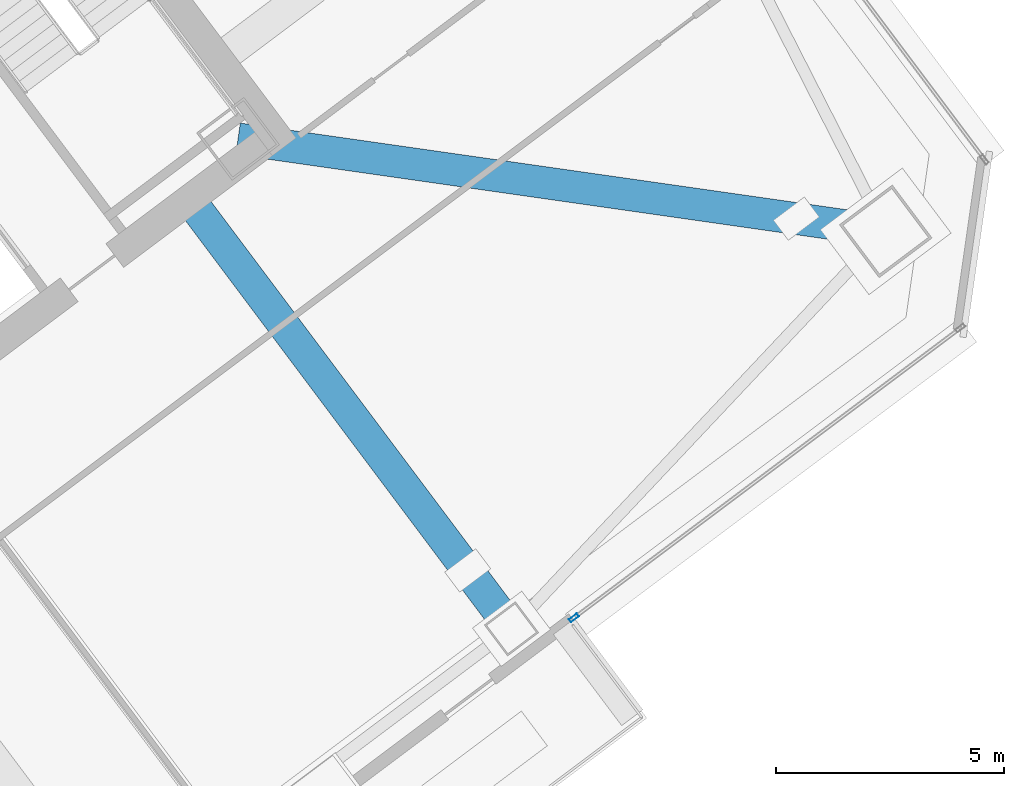
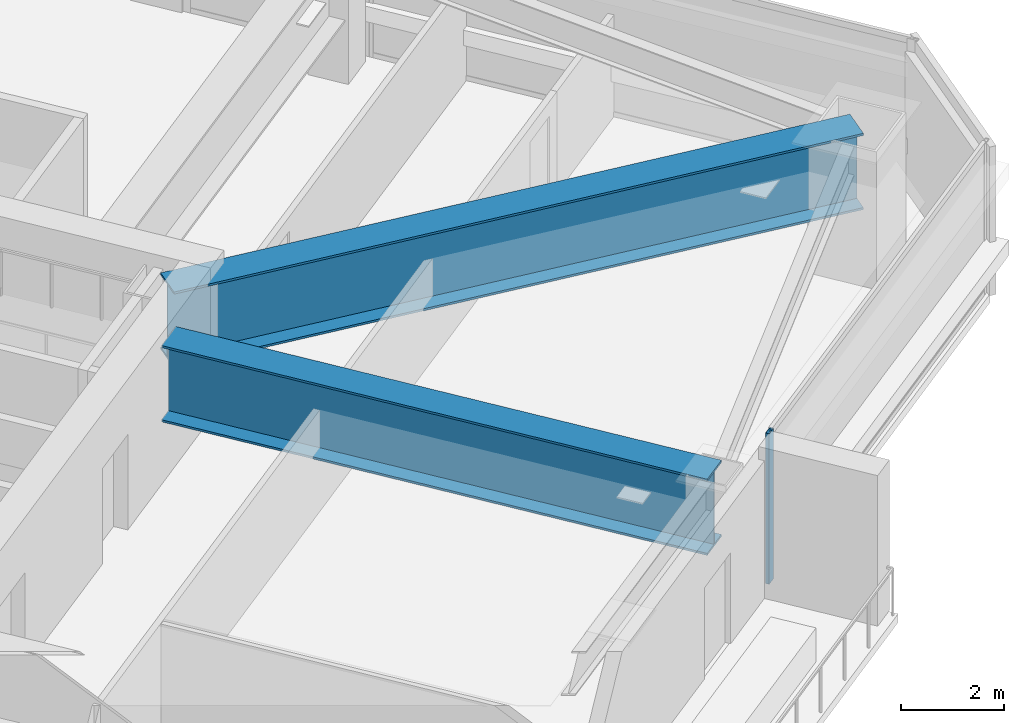
# One storey, part 26 of 49: 2 beams, 1 member, 1 element without a shape of its own.
"""IFC4 building model written with IfcOpenShell, lengths in metres."""

import ifcopenshell
import ifcopenshell.guid

model = None  # the IFC model being written
_history = None  # IfcOwnerHistory: only IFC2X3 demands one
_inside = {}  # id of a spatial element -> (the spatial element, [elements in it])
_under = {}  # id of a project, library or spatial element -> (it, [spatial elements below it])
_declared = {}  # id of a project -> (the project, [libraries it declares])
_typed = {}  # id of a type object -> (the type object, [elements of that type])
_made_of = {}  # id of a material, layer set ... -> (it, [elements and type objects made of it])


def new_model(schema):
    """Start an empty IFC model of exactly this schema.

    Asked for "IFC4X3", IfcOpenShell would pick the latest addendum, in which some entities
    have other attributes; the version numbers below select the first issue.
    IFC2X3 requires an IfcOwnerHistory on every rooted entity: one is made here for all.
    """
    global model, _history
    if schema == "IFC4X3":
        model = ifcopenshell.file(schema_version=(4, 3, 0, 0))
    else:
        model = ifcopenshell.file(schema=schema)
    _inside.clear()
    _under.clear()
    _declared.clear()
    _typed.clear()
    _made_of.clear()
    _history = None
    if model.schema == "IFC2X3":
        org = make("IfcOrganization", Name="unknown")
        user = make(
            "IfcPersonAndOrganization",
            ThePerson=make("IfcPerson", FamilyName="unknown"),
            TheOrganization=org,
        )
        app = make(
            "IfcApplication",
            ApplicationDeveloper=org,
            Version="unknown",
            ApplicationFullName="unknown",
            ApplicationIdentifier="unknown",
        )
        _history = make(
            "IfcOwnerHistory",
            OwningUser=user,
            OwningApplication=app,
            ChangeAction="ADDED",
            CreationDate=0,
        )
    return model


def make(cls, **values):
    """One entity of the class cls with the attributes given. An attribute that is None is left unset."""
    return model.create_entity(
        cls, **{name: value for name, value in values.items() if value is not None}
    )


def rooted(cls, **values):
    """An entity with a GlobalId (a new one), such as an element, a storey or a relation."""
    return make(cls, GlobalId=ifcopenshell.guid.new(), OwnerHistory=_history, **values)


def si_unit(unit_type, name, prefix=None):
    """IfcSIUnit, for example si_unit("LENGTHUNIT", "METRE", prefix="MILLI")."""
    return make("IfcSIUnit", UnitType=unit_type, Prefix=prefix, Name=name)


def assignment(units):
    """IfcUnitAssignment: the units of a project."""
    return None if units is None else make("IfcUnitAssignment", Units=units)


def point(xyz):
    """IfcCartesianPoint."""
    return None if xyz is None else make("IfcCartesianPoint", Coordinates=xyz)


def direction(xyz):
    """IfcDirection."""
    return None if xyz is None else make("IfcDirection", DirectionRatios=xyz)


def frame(location, z_axis=None, x_axis=None):
    """IfcAxis2Placement3D, a coordinate frame: its origin and axes. An axis left out is left unset."""
    return make(
        "IfcAxis2Placement3D",
        Location=point(location),
        Axis=direction(z_axis),
        RefDirection=direction(x_axis),
    )


def frame_2d(location, x_axis=None):
    """IfcAxis2Placement2D, a coordinate frame in the plane: its origin and x axis."""
    return make(
        "IfcAxis2Placement2D", Location=point(location), RefDirection=direction(x_axis)
    )


def origin():
    """The frame at (0, 0, 0) with its axes left unset."""
    return frame((0.0, 0.0, 0.0))


def origin_2d():
    """The frame at (0, 0) in the plane with its x axis left unset."""
    return frame_2d((0.0, 0.0))


def place(relative_to, where):
    """IfcLocalPlacement: puts the frame where relative to a parent placement (None: the world)."""
    return make(
        "IfcLocalPlacement", PlacementRelTo=relative_to, RelativePlacement=where
    )


def context(
    kind, dimensions, precision=None, world=None, true_north=None, identifier=None
):
    """IfcGeometricRepresentationContext, for example the 3D "Model" context."""
    return make(
        "IfcGeometricRepresentationContext",
        ContextIdentifier=identifier,
        ContextType=kind,
        CoordinateSpaceDimension=dimensions,
        Precision=precision,
        WorldCoordinateSystem=world,
        TrueNorth=true_north,
    )


def subcontext(parent, identifier, kind, view, scale=None):
    """IfcGeometricRepresentationSubContext, for example "Body" below "Model"."""
    return make(
        "IfcGeometricRepresentationSubContext",
        ContextIdentifier=identifier,
        ContextType=kind,
        ParentContext=parent,
        TargetScale=scale,
        TargetView=view,
    )


def project(units=None, contexts=None):
    """IfcProject with its units and contexts."""
    return rooted(
        "IfcProject",
        Name="project",
        RepresentationContexts=contexts,
        UnitsInContext=assignment(units),
    )


def spatial(cls, under=None, at=None, **own):
    """A site, building, storey or space (cls), placed at a placement, below another one or the project."""
    s = rooted(cls, ObjectPlacement=at, **own)
    if under is not None:
        _under.setdefault(under.id(), (under, []))[1].append(s)
    return s


def profile(cls, at=None, kind="AREA", **sizes):
    """A parametric profile (cls). Its sizes go by their IFC names, for example OverallWidth=200.0."""
    return make(cls, ProfileType=kind, Position=at, **sizes)


def hollow_rectangle(**sizes):
    """IfcRectangleHollowProfileDef."""
    return profile("IfcRectangleHollowProfileDef", **sizes)


def i_section(**sizes):
    """IfcIShapeProfileDef."""
    return profile("IfcIShapeProfileDef", **sizes)


def extrude(swept, where, along, depth):
    """IfcExtrudedAreaSolid: the profile swept, set in the frame where, extruded along a direction by depth."""
    return make(
        "IfcExtrudedAreaSolid",
        SweptArea=swept,
        Position=where,
        ExtrudedDirection=direction(along),
        Depth=depth,
    )


def shape(context_of_items, identifier, shape_type, items):
    """IfcShapeRepresentation: the items that make up one representation, for example the "Body"."""
    return make(
        "IfcShapeRepresentation",
        ContextOfItems=context_of_items,
        RepresentationIdentifier=identifier,
        RepresentationType=shape_type,
        Items=items,
    )


def material(Name=None, Category=None):
    """IfcMaterial."""
    return make("IfcMaterial", Name=Name, Category=Category)


def material_profile(
    of_material, cross_section, Name=None, Category=None, Priority=None
):
    """IfcMaterialProfile: a cross section and its material."""
    return make(
        "IfcMaterialProfile",
        Name=Name,
        Material=of_material,
        Profile=cross_section,
        Priority=Priority,
        Category=Category,
    )


def profile_set(profiles, Name=None, composite=None):
    """IfcMaterialProfileSet."""
    return make(
        "IfcMaterialProfileSet",
        Name=Name,
        MaterialProfiles=profiles,
        CompositeProfile=composite,
    )


def made_of(thing, what):
    """Note that an element or type object is made of a material, layer set ...; save() writes the relation."""
    if what is not None:
        _made_of.setdefault(what.id(), (what, []))[1].append(thing)
    return thing


def type_object(cls, material=None, **own):
    """A type object (cls), such as IfcWallType, which elements share."""
    return made_of(rooted(cls, **own), material)


def element(
    cls,
    number,
    at=None,
    inside=None,
    cuts=None,
    type_object=None,
    material=None,
    context=None,
    identifier="Body",
    shape_type=None,
    held_by="IfcProductDefinitionShape",
    body=None,
    shapes=None,
    **own,
):
    """One element of the class cls, such as IfcWall. Its Tag is "e" and its number.

    at: its placement. inside: the storey or other place that contains it. cuts: it is an
    opening in that element (IfcRelVoidsElement). A single representation is given by context,
    identifier, shape_type and body (its items); several are given by shapes. held_by: the class
    of the entity that holds the representations. save() writes the other relations.
    """
    e = rooted(cls, Tag="e%d" % number, ObjectPlacement=at, **own)
    if body is not None:
        shapes = [shape(context, identifier, shape_type, body)]
    if shapes is not None:
        e.Representation = make(held_by, Representations=shapes)
    if inside is not None:
        _inside.setdefault(inside.id(), (inside, []))[1].append(e)
    if cuts is not None:
        rooted(
            "IfcRelVoidsElement", RelatingBuildingElement=cuts, RelatedOpeningElement=e
        )
    if type_object is not None:
        _typed.setdefault(type_object.id(), (type_object, []))[1].append(e)
    return made_of(e, material)


def aggregate(whole, parts):
    """IfcRelAggregates: a whole, such as a stair, and the parts it consists of."""
    return rooted("IfcRelAggregates", RelatingObject=whole, RelatedObjects=parts)


def save(model, path):
    """Write the relations noted so far, then the file.

    IfcRelAggregates (storeys below a building ...), IfcRelContainedInSpatialStructure (elements
    in a storey), IfcRelDefinesByType, IfcRelAssociatesMaterial and IfcRelDeclares: one each for
    every whole, place, type object, material and project.
    """
    for whole, parts in _under.values():
        aggregate(whole, parts)
    for where, things in _inside.values():
        rooted(
            "IfcRelContainedInSpatialStructure",
            RelatedElements=things,
            RelatingStructure=where,
        )
    for kind, things in _typed.values():
        rooted("IfcRelDefinesByType", RelatedObjects=things, RelatingType=kind)
    for what, things in _made_of.values():
        rooted("IfcRelAssociatesMaterial", RelatedObjects=things, RelatingMaterial=what)
    for by, libraries in _declared.values():
        rooted("IfcRelDeclares", RelatingContext=by, RelatedDefinitions=libraries)
    model.write(path)


model = new_model("IFC4")

# Units and contexts
model_context = context("Model", 3, precision=1e-05, world=origin(), true_north=direction((0.0, 1.0)))
body_context = subcontext(model_context, "Body", "Model", "MODEL_VIEW")
ifc_project = project(units=[si_unit("LENGTHUNIT", "METRE"), si_unit("AREAUNIT", "SQUARE_METRE"), si_unit("VOLUMEUNIT", "CUBIC_METRE"), si_unit("PLANEANGLEUNIT", "RADIAN"), si_unit("MASSUNIT", "GRAM", prefix="KILO")], contexts=[model_context])

# Site, building, storey
site_placement = place(None, origin())
site = spatial("IfcSite", under=ifc_project, at=site_placement, CompositionType="ELEMENT")
building_placement = place(site_placement, origin())
building = spatial("IfcBuilding", under=site, at=building_placement, Name="Tashvorn Skyway Center", CompositionType="ELEMENT")
storey_placement = place(building_placement, frame((0.0, 0.0, 106.25)))
storey = spatial("IfcBuildingStorey", under=building, at=storey_placement, Name="L28", CompositionType="ELEMENT", Elevation=106.25)

# Beams
ifc_material_1 = material(Name="Steel ASTM A572 Grade 50", Category="steel")
ifc_material_profile_1 = material_profile(ifc_material_1, i_section(OverallWidth=0.699951171875, OverallDepth=1.800048828125, WebThickness=0.031982421875, FlangeThickness=0.050048828125, at=origin_2d()), Name="PG1800x700")
ifc_profile_set_1 = profile_set([ifc_material_profile_1], Name="Steel ASTM A572 Grade 50")
beam_type = type_object("IfcBeamType", Name="BM-BEAM-PG1800x700", PredefinedType="BEAM", material=ifc_profile_set_1)
beam_1_placement = place(storey_placement, frame((138.080078125, 28.56005859375, 2.35009765625), z_axis=(-0.989949153493, 0.141423737394, 0.0), x_axis=(-0.141423737394, -0.989949153493, 0.0)))
element("IfcBeam", 1, at=beam_1_placement, inside=storey, type_object=beam_type, Name="Tower 2 L28 Setback Transfer Girder MC-SE", PredefinedType="BEAM", context=body_context, shape_type="SweptSolid", body=[
    extrude(i_section(OverallWidth=0.699951171875, OverallDepth=1.800048828125, WebThickness=0.031982421875, FlangeThickness=0.050048828125, at=origin_2d()), origin(), (0.0, 0.0, 1.0), 14.354248046875),
])
beam_2_placement = place(storey_placement, frame((129.8701171875, 19.840087890625, 2.35009765625), z_axis=(-0.600003405598, 0.79999744579, 0.0), x_axis=(-0.79999744579, -0.600003405598, 0.0)))
element("IfcBeam", 2, at=beam_2_placement, inside=storey, type_object=beam_type, Name="Tower 2 L28 Setback Transfer Girder FC-S2", PredefinedType="BEAM", context=body_context, shape_type="SweptSolid", body=[
    extrude(i_section(OverallWidth=0.699951171875, OverallDepth=1.800048828125, WebThickness=0.031982421875, FlangeThickness=0.050048828125, at=origin_2d()), origin(), (0.0, 0.0, 1.0), 11.469970703125),
])

# Curtain wall, member
ifc_material_2 = material(Name="Thermally broken bronze-anodized aluminium 6063-T6", Category="aluminium")
curtain_wall_type = type_object("IfcCurtainWallType", Name="CW-CW-Z2", PredefinedType="NOTDEFINED", material=ifc_material_2)
curtain_wall_placement = place(storey_placement, origin())
curtain_wall = element("IfcCurtainWall", 3, at=curtain_wall_placement, inside=storey, type_object=curtain_wall_type, Name="Tower 2 L28 South Curtain Wall L", PredefinedType="NOTDEFINED")
ifc_material_profile_2 = material_profile(ifc_material_2, hollow_rectangle(XDim=0.080078125, YDim=0.219970703125, WallThickness=0.0048828125, at=origin_2d()), Name="ALU-MULL-80x220")
ifc_profile_set_2 = profile_set([ifc_material_profile_2], Name="Thermally broken bronze-anodized aluminium 6063-T6")
member_type = type_object("IfcMemberType", Name="CWM-CW-Z2", PredefinedType="MULLION", material=ifc_profile_set_2)
member_placement = place(storey_placement, frame((131.239990234375, 20.080078125, 0.0), z_axis=(0.0, 0.0, 1.0), x_axis=(0.600000000002, -0.799999999998, 0.0)))
member = element("IfcMember", 4, at=member_placement, type_object=member_type, Name="CW-Z2 mullion 2", PredefinedType="MULLION", context=body_context, shape_type="SweptSolid", body=[
    extrude(hollow_rectangle(XDim=0.080078125, YDim=0.219970703125, WallThickness=0.0048828125, at=origin_2d()), origin(), (0.0, 0.0, 1.0), 3.550048828125),
])
aggregate(curtain_wall, [member])

save(model, "model.ifc")
